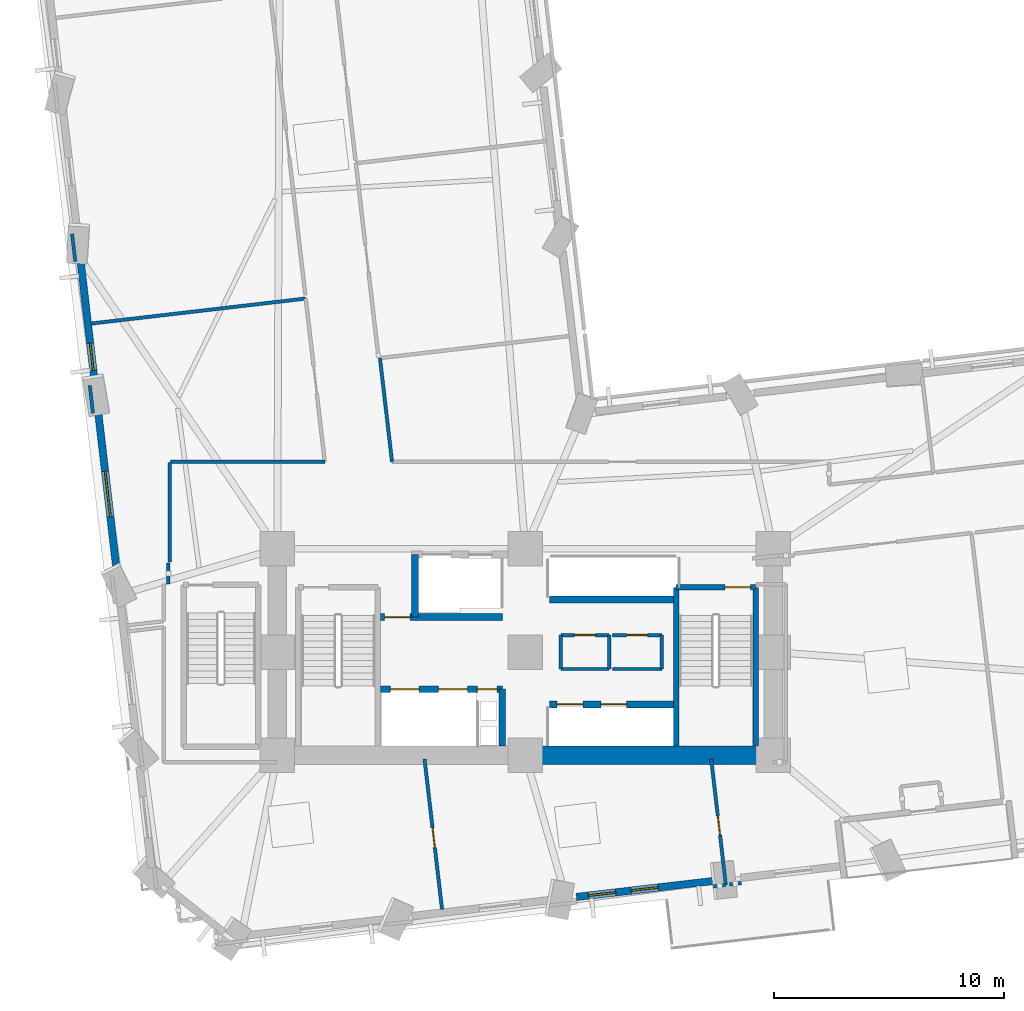
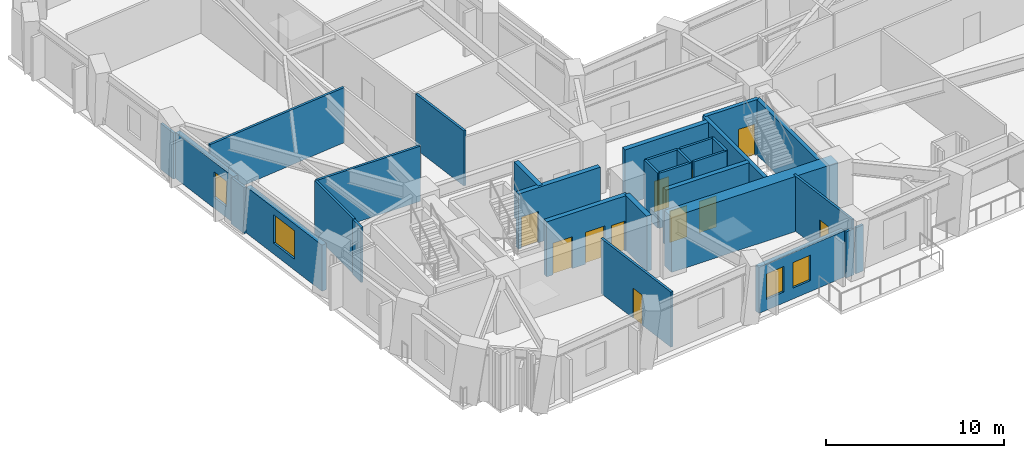
# One storey, part 7 of 14: 31 walls, 11 doors, 4 windows, 15 openings.
"""IFC4 building model written with IfcOpenShell, lengths in metres."""

from ifc_helpers import new_model, si_unit, direction, frame, frame_2d, origin, place, context, subcontext, project, spatial, rectangle, extrude, material, layer, layer_set, type_object, element, fill, save


model = new_model("IFC4")

# Units and contexts
model_context = context("Model", 3, precision=1e-05, world=origin(), true_north=direction((0.0, 1.0)))
body_context = subcontext(model_context, "Body", "Model", "MODEL_VIEW")
ifc_project = project(units=[si_unit("LENGTHUNIT", "METRE"), si_unit("AREAUNIT", "SQUARE_METRE"), si_unit("VOLUMEUNIT", "CUBIC_METRE"), si_unit("PLANEANGLEUNIT", "RADIAN"), si_unit("MASSUNIT", "GRAM", prefix="KILO")], contexts=[model_context])

# Site, building, storey
site_placement = place(None, origin())
site = spatial("IfcSite", under=ifc_project, at=site_placement, CompositionType="ELEMENT")
building_placement = place(site_placement, origin())
building = spatial("IfcBuilding", under=site, at=building_placement, Name="Gaonmaruhae Medical Tower", CompositionType="ELEMENT")
storey_placement = place(building_placement, frame((0.0, 0.0, 51.0)))
storey = spatial("IfcBuildingStorey", under=building, at=storey_placement, Name="L11", CompositionType="ELEMENT", Elevation=51.0)

# Wall
ifc_material_1 = material(Name="Concrete C60/75", Category="concrete")
ifc_layer_1 = layer(ifc_material_1, 0.800048828125)
ifc_layer_set_1 = layer_set([ifc_layer_1], Name="Concrete C60/75")
wall_type_1 = type_object("IfcWallType", Name="CW-800 Lower Core Shear Wall", PredefinedType="SHEAR", material=ifc_layer_set_1)
wall_1_placement = place(storey_placement, frame((24.800048828125, 7.800048828125, 0.0), z_axis=(0.0, 0.0, 1.0), x_axis=(1.0, 0.0, 0.0)))
element("IfcWall", 1, at=wall_1_placement, inside=storey, type_object=wall_type_1, Name="L11 Core Shear Wall CSW-S2", PredefinedType="SHEAR", context=body_context, shape_type="SweptSolid", body=[
    extrude(rectangle(XDim=10.800048828125, YDim=0.800048828125, at=frame_2d((5.39990234375, 0.0))), origin(), (0.0, 0.0, 1.0), 3.780029296875),
])

# Wall, openings, windows
ifc_material_2 = material(Name="Precast concrete C45/55", Category="concrete")
ifc_layer_2 = layer(ifc_material_2, 0.320068359375)
ifc_layer_set_2 = layer_set([ifc_layer_2], Name="Precast concrete C45/55")
wall_type_2 = type_object("IfcWallType", Name="EW-320 Lower Precast Masonry-Frame Facade Wall", PredefinedType="SOLIDWALL", material=ifc_layer_set_2)
wall_2_placement = place(storey_placement, frame((32.9755859375, 2.326416015625, 0.0), z_axis=(0.0, 0.0, 1.0), x_axis=(-0.99327275312, -0.115798263844, 0.0)))
wall_2 = element("IfcWall", 2, at=wall_2_placement, inside=storey, type_object=wall_type_2, Name="L11 Precast Masonry-Frame Wall S03-S04", PredefinedType="SOLIDWALL", context=body_context, shape_type="SweptSolid", body=[
    extrude(rectangle(XDim=5.98974609375, YDim=0.320068359375, at=frame_2d((2.994873046875, 0.0))), origin(), (0.0, 0.0, 1.0), 3.1650390625),
])
opening_1_placement = place(wall_2_placement, frame((2.393798828125, 0.0, 0.75)))
opening_1 = element("IfcOpeningElement", 3, at=opening_1_placement, cuts=wall_2, Name="Opening WN-05", PredefinedType="OPENING", context=body_context, shape_type="SweptSolid", body=[
    extrude(rectangle(XDim=1.199951171875, YDim=1.75, at=frame_2d((0.60009765625, 0.875))), frame((0.0, 0.169921875, 0.0), z_axis=(0.0, -1.0, 0.0), x_axis=(1.0, 0.0, 0.0)), (0.0, 0.0, 1.0), 0.340087890625),
])
opening_2_placement = place(wall_2_placement, frame((4.255615234375, 0.0, 0.75)))
opening_2 = element("IfcOpeningElement", 4, at=opening_2_placement, cuts=wall_2, Name="Opening WN-05", PredefinedType="OPENING", context=body_context, shape_type="SweptSolid", body=[
    extrude(rectangle(XDim=1.199951171875, YDim=1.75, at=frame_2d((0.60009765625, 0.875))), frame((0.0, 0.169921875, 0.0), z_axis=(0.0, -1.0, 0.0), x_axis=(1.0, 0.0, 0.0)), (0.0, 0.0, 1.0), 0.340087890625),
])
ifc_material_3 = material(Name="Anodised aluminium and Low-E double glazing", Category="aluminium")
window_type_1 = type_object("IfcWindowType", Name="WN-05 Support & Staff Punched Window 1200x1750", PartitioningType="SINGLE_PANEL", PredefinedType="WINDOW", material=ifc_material_3)
window_1_placement = place(opening_1_placement, origin())
window_1 = element("IfcWindow", 5, at=window_1_placement, inside=storey, type_object=window_type_1, Name="L11 Modular Facade Window S03", OverallHeight=1.75, OverallWidth=1.199951171875, PartitioningType="SINGLE_PANEL", PredefinedType="WINDOW", context=body_context, shape_type="SweptSolid", body=[
    extrude(rectangle(XDim=1.199951171875, YDim=1.75, at=frame_2d((0.60009765625, 0.875))), frame((0.0, 0.030029296875, 0.0), z_axis=(0.0, -1.0, 0.0), x_axis=(1.0, 0.0, 0.0)), (0.0, 0.0, 1.0), 0.06005859375),
])
fill(opening_1, window_1)
window_2_placement = place(opening_2_placement, origin())
window_2 = element("IfcWindow", 6, at=window_2_placement, inside=storey, type_object=window_type_1, Name="L11 Modular Facade Window S03B", OverallHeight=1.75, OverallWidth=1.199951171875, PartitioningType="SINGLE_PANEL", PredefinedType="WINDOW", context=body_context, shape_type="SweptSolid", body=[
    extrude(rectangle(XDim=1.199951171875, YDim=1.75, at=frame_2d((0.60009765625, 0.875))), frame((0.0, 0.030029296875, 0.0), z_axis=(0.0, -1.0, 0.0), x_axis=(1.0, 0.0, 0.0)), (0.0, 0.0, 1.0), 0.06005859375),
])
fill(opening_2, window_2)

# Wall, opening, window
wall_3_placement = place(storey_placement, frame((6.06494140625, 23.935546875, 0.0), z_axis=(0.0, 0.0, 1.0), x_axis=(-0.115830501052, 0.993268994294, 0.0)))
wall_3 = element("IfcWall", 7, at=wall_3_placement, inside=storey, type_object=wall_type_2, Name="L11 Precast Masonry-Frame Wall W03-W04", PredefinedType="SOLIDWALL", context=body_context, shape_type="SweptSolid", body=[
    extrude(rectangle(XDim=5.43798828125, YDim=0.320068359375, at=frame_2d((2.718994140625, 0.0))), origin(), (0.0, 0.0, 1.0), 3.1650390625),
])
opening_3_placement = place(wall_3_placement, frame((0.630126953125, 0.0, 0.75)))
opening_3 = element("IfcOpeningElement", 8, at=opening_3_placement, cuts=wall_3, Name="Opening WN-05", PredefinedType="OPENING", context=body_context, shape_type="SweptSolid", body=[
    extrude(rectangle(XDim=1.199951171875, YDim=1.75, at=frame_2d((0.60009765625, 0.875))), frame((0.0, 0.169921875, 0.0), z_axis=(0.0, -1.0, 0.0), x_axis=(1.0, 0.0, 0.0)), (0.0, 0.0, 1.0), 0.340087890625),
])
window_3_placement = place(opening_3_placement, origin())
window_3 = element("IfcWindow", 9, at=window_3_placement, inside=storey, type_object=window_type_1, Name="L11 Modular Facade Window W03", OverallHeight=1.75, OverallWidth=1.199951171875, PartitioningType="SINGLE_PANEL", PredefinedType="WINDOW", context=body_context, shape_type="SweptSolid", body=[
    extrude(rectangle(XDim=1.199951171875, YDim=1.75, at=frame_2d((0.60009765625, 0.875))), frame((0.0, 0.030029296875, 0.0), z_axis=(0.0, -1.0, 0.0), x_axis=(1.0, 0.0, 0.0)), (0.0, 0.0, 1.0), 0.06005859375),
])
fill(opening_3, window_3)

wall_4_placement = place(storey_placement, frame((7.031982421875, 15.639892578125, 0.0), z_axis=(0.0, 0.0, 1.0), x_axis=(-0.115803071299, 0.993272192643, 0.0)))
wall_4 = element("IfcWall", 10, at=wall_4_placement, inside=storey, type_object=wall_type_2, Name="L11 Precast Masonry-Frame Wall W04-W05", PredefinedType="SOLIDWALL", context=body_context, shape_type="SweptSolid", body=[
    extrude(rectangle(XDim=7.136474609375, YDim=0.320068359375, at=frame_2d((3.568359375, 0.0))), origin(), (0.0, 0.0, 1.0), 3.1650390625),
])
opening_4_placement = place(wall_4_placement, frame((2.568603515625, 0.0, 0.75)))
opening_4 = element("IfcOpeningElement", 11, at=opening_4_placement, cuts=wall_4, Name="Opening WN-02", PredefinedType="OPENING", context=body_context, shape_type="SweptSolid", body=[
    extrude(rectangle(XDim=2.0, YDim=1.949951171875, at=frame_2d((1.0, 0.97509765625))), frame((0.0, 0.169921875, 0.0), z_axis=(0.0, -1.0, 0.0), x_axis=(1.0, 0.0, 0.0)), (0.0, 0.0, 1.0), 0.340087890625),
])
window_type_2 = type_object("IfcWindowType", Name="WN-02 Double-Bed Ward Punched Window 2000x1950", PartitioningType="SINGLE_PANEL", PredefinedType="WINDOW", material=ifc_material_3)
window_4_placement = place(opening_4_placement, origin())
window_4 = element("IfcWindow", 12, at=window_4_placement, inside=storey, type_object=window_type_2, Name="L11 Modular Facade Window W04", OverallHeight=1.949951171875, OverallWidth=2.0, PartitioningType="SINGLE_PANEL", PredefinedType="WINDOW", context=body_context, shape_type="SweptSolid", body=[
    extrude(rectangle(XDim=2.0, YDim=1.949951171875, at=frame_2d((1.0, 0.97509765625))), frame((0.0, 0.030029296875, 0.0), z_axis=(0.0, -1.0, 0.0), x_axis=(1.0, 0.0, 0.0)), (0.0, 0.0, 1.0), 0.06005859375),
])
fill(opening_4, window_4)

# Wall
ifc_material_4 = material(Name="Gypsum board partition", Category="gypsum")
ifc_layer_3 = layer(ifc_material_4, 0.14990234375)
ifc_layer_set_3 = layer_set([ifc_layer_3], Name="Gypsum board partition")
wall_type_3 = type_object("IfcWallType", Name="PW-150 Rated Clinical Corridor Partition", PredefinedType="PARTITIONING", material=ifc_layer_set_3)
wall_5_placement = place(storey_placement, frame((26.35009765625, 11.56005859375, 0.0), z_axis=(0.0, 0.0, 1.0), x_axis=(0.0, 1.0, 0.0)))
element("IfcWall", 13, at=wall_5_placement, inside=storey, type_object=wall_type_3, Name="L11 Interior Partition L11-CS1-1", PredefinedType="PARTITIONING", context=body_context, shape_type="SweptSolid", body=[
    extrude(rectangle(XDim=1.47998046875, YDim=0.14990234375, at=frame_2d((0.739990234375, 0.0))), origin(), (0.0, 0.0, 1.0), 3.780029296875),
])

# Wall, opening, door
wall_6_placement = place(storey_placement, frame((26.35009765625, 13.0400390625, 0.0), z_axis=(0.0, 0.0, 1.0), x_axis=(1.0, 0.0, 0.0)))
wall_6 = element("IfcWall", 14, at=wall_6_placement, inside=storey, type_object=wall_type_3, Name="L11 Interior Partition L11-CS1-2", PredefinedType="PARTITIONING", context=body_context, shape_type="SweptSolid", body=[
    extrude(rectangle(XDim=2.099853515625, YDim=0.14990234375, at=frame_2d((1.0498046875, 0.0))), origin(), (0.0, 0.0, 1.0), 3.780029296875),
])
opening_5_placement = place(wall_6_placement, frame((0.590087890625, 0.0, 0.0)))
opening_5 = element("IfcOpeningElement", 15, at=opening_5_placement, cuts=wall_6, Name="Opening UD-01", PredefinedType="OPENING", context=body_context, shape_type="SweptSolid", body=[
    extrude(rectangle(XDim=0.919921875, YDim=2.10009765625, at=frame_2d((0.4599609375, 1.050048828125))), frame((0.0, 0.0849609375, 0.0), z_axis=(0.0, -1.0, 0.0), x_axis=(1.0, 0.0, 0.0)), (0.0, 0.0, 1.0), 0.169921875),
])
ifc_material_5 = material(Name="Powder-coated steel utility door", Category="steel")
door_type_1 = type_object("IfcDoorType", Name="UD-01 Toilet, Utility & Housekeeping Door 920x2100", OperationType="NOTDEFINED", PredefinedType="DOOR", material=ifc_material_5)
door_1_placement = place(opening_5_placement, origin())
door_1 = element("IfcDoor", 16, at=door_1_placement, inside=storey, type_object=door_type_1, Name="L11 Accessible Staff Toilet Door", OperationType="SINGLE_SWING_RIGHT", OverallHeight=2.10009765625, OverallWidth=0.919921875, PredefinedType="DOOR", context=body_context, shape_type="SweptSolid", body=[
    extrude(rectangle(XDim=0.919921875, YDim=2.10009765625, at=frame_2d((0.4599609375, 1.050048828125))), frame((0.0, 0.02490234375, 0.0), z_axis=(0.0, -1.0, 0.0), x_axis=(1.0, 0.0, 0.0)), (0.0, 0.0, 1.0), 0.050048828125),
])
fill(opening_5, door_1)

# Walls
wall_7_placement = place(storey_placement, frame((28.449951171875, 13.0400390625, 0.0), z_axis=(0.0, 0.0, 1.0), x_axis=(0.0, -1.0, 0.0)))
element("IfcWall", 17, at=wall_7_placement, inside=storey, type_object=wall_type_3, Name="L11 Interior Partition L11-CS1-3", PredefinedType="PARTITIONING", context=body_context, shape_type="SweptSolid", body=[
    extrude(rectangle(XDim=1.47998046875, YDim=0.14990234375, at=frame_2d((0.739990234375, 0.0))), origin(), (0.0, 0.0, 1.0), 3.780029296875),
])
wall_8_placement = place(storey_placement, frame((28.449951171875, 11.56005859375, 0.0), z_axis=(0.0, 0.0, 1.0), x_axis=(-1.0, 0.0, 0.0)))
element("IfcWall", 18, at=wall_8_placement, inside=storey, type_object=wall_type_3, Name="L11 Interior Partition L11-CS1-4", PredefinedType="PARTITIONING", context=body_context, shape_type="SweptSolid", body=[
    extrude(rectangle(XDim=2.099853515625, YDim=0.14990234375, at=frame_2d((1.0498046875, 0.0))), origin(), (0.0, 0.0, 1.0), 3.780029296875),
])

# Wall, opening, door
wall_9_placement = place(storey_placement, frame((28.60009765625, 13.0400390625, 0.0), z_axis=(0.0, 0.0, 1.0), x_axis=(1.0, 0.0, 0.0)))
wall_9 = element("IfcWall", 19, at=wall_9_placement, inside=storey, type_object=wall_type_3, Name="L11 Interior Partition L11-CS2-5", PredefinedType="PARTITIONING", context=body_context, shape_type="SweptSolid", body=[
    extrude(rectangle(XDim=2.14990234375, YDim=0.14990234375, at=frame_2d((1.074951171875, 0.0))), origin(), (0.0, 0.0, 1.0), 3.780029296875),
])
opening_6_placement = place(wall_9_placement, frame((0.614990234375, 0.0, 0.0)))
opening_6 = element("IfcOpeningElement", 20, at=opening_6_placement, cuts=wall_9, Name="Opening UD-01", PredefinedType="OPENING", context=body_context, shape_type="SweptSolid", body=[
    extrude(rectangle(XDim=0.919921875, YDim=2.10009765625, at=frame_2d((0.4599609375, 1.050048828125))), frame((0.0, 0.0849609375, 0.0), z_axis=(0.0, -1.0, 0.0), x_axis=(1.0, 0.0, 0.0)), (0.0, 0.0, 1.0), 0.169921875),
])
door_2_placement = place(opening_6_placement, origin())
door_2 = element("IfcDoor", 21, at=door_2_placement, inside=storey, type_object=door_type_1, Name="L11 Biomedical Telemetry Closet Door", OperationType="SINGLE_SWING_LEFT", OverallHeight=2.10009765625, OverallWidth=0.919921875, PredefinedType="DOOR", context=body_context, shape_type="SweptSolid", body=[
    extrude(rectangle(XDim=0.919921875, YDim=2.10009765625, at=frame_2d((0.4599609375, 1.050048828125))), frame((0.0, 0.02490234375, 0.0), z_axis=(0.0, -1.0, 0.0), x_axis=(1.0, 0.0, 0.0)), (0.0, 0.0, 1.0), 0.050048828125),
])
fill(opening_6, door_2)

# Walls
wall_10_placement = place(storey_placement, frame((30.75, 13.0400390625, 0.0), z_axis=(0.0, 0.0, 1.0), x_axis=(0.0, -1.0, 0.0)))
element("IfcWall", 22, at=wall_10_placement, inside=storey, type_object=wall_type_3, Name="L11 Interior Partition L11-CS2-6", PredefinedType="PARTITIONING", context=body_context, shape_type="SweptSolid", body=[
    extrude(rectangle(XDim=1.47998046875, YDim=0.14990234375, at=frame_2d((0.739990234375, 0.0))), origin(), (0.0, 0.0, 1.0), 3.780029296875),
])
wall_11_placement = place(storey_placement, frame((30.75, 11.56005859375, 0.0), z_axis=(0.0, 0.0, 1.0), x_axis=(-1.0, 0.0, 0.0)))
element("IfcWall", 23, at=wall_11_placement, inside=storey, type_object=wall_type_3, Name="L11 Interior Partition L11-CS2-7", PredefinedType="PARTITIONING", context=body_context, shape_type="SweptSolid", body=[
    extrude(rectangle(XDim=2.14990234375, YDim=0.14990234375, at=frame_2d((1.074951171875, 0.0))), origin(), (0.0, 0.0, 1.0), 3.780029296875),
])

# Wall, opening, door
wall_12_placement = place(storey_placement, frame((20.4140625, 7.64111328125, 0.0), z_axis=(0.0, 0.0, 1.0), x_axis=(0.115769975506, -0.993276050638, 0.0)))
wall_12 = element("IfcWall", 24, at=wall_12_placement, inside=storey, type_object=wall_type_3, Name="L11 Interior Partition L11-SUP01-11", PredefinedType="PARTITIONING", context=body_context, shape_type="SweptSolid", body=[
    extrude(rectangle(XDim=6.5986328125, YDim=0.14990234375, at=frame_2d((3.29931640625, 0.0))), origin(), (0.0, 0.0, 1.0), 3.780029296875),
])
opening_7_placement = place(wall_12_placement, frame((3.020263671875, 0.0, 0.0)))
opening_7 = element("IfcOpeningElement", 25, at=opening_7_placement, cuts=wall_12, Name="Opening AD-01", PredefinedType="OPENING", context=body_context, shape_type="SweptSolid", body=[
    extrude(rectangle(XDim=0.860107421875, YDim=2.06005859375, at=frame_2d((0.43017578125, 1.030029296875))), frame((0.0, 0.0849609375, 0.0), z_axis=(0.0, -1.0, 0.0), x_axis=(1.0, 0.0, 0.0)), (0.0, 0.0, 1.0), 0.169921875),
])
ifc_material_6 = material(Name="Powder-coated steel access door", Category="steel")
door_type_2 = type_object("IfcDoorType", Name="AD-01 Riser & Closet Access Fire Door 860x2060", OperationType="NOTDEFINED", PredefinedType="DOOR", material=ifc_material_6)
door_3_placement = place(opening_7_placement, origin())
door_3 = element("IfcDoor", 26, at=door_3_placement, inside=storey, type_object=door_type_2, Name="L11 Clinical Biomedical Charting Office Sliding Door", OperationType="SLIDING_TO_LEFT", OverallHeight=2.06005859375, OverallWidth=0.860107421875, PredefinedType="DOOR", context=body_context, shape_type="SweptSolid", body=[
    extrude(rectangle(XDim=0.860107421875, YDim=2.06005859375, at=frame_2d((0.43017578125, 1.030029296875))), frame((0.0, 0.02490234375, 0.0), z_axis=(0.0, -1.0, 0.0), x_axis=(1.0, 0.0, 0.0)), (0.0, 0.0, 1.0), 0.050048828125),
])
fill(opening_7, door_3)

# Wall
wall_13_placement = place(storey_placement, frame((33.535888671875, 2.159912109375, 0.0), z_axis=(0.0, 0.0, 1.0), x_axis=(-0.993323124869, -0.115365374356, 0.0)))
element("IfcWall", 27, at=wall_13_placement, inside=storey, type_object=wall_type_3, Name="L11 Interior Partition L11-SUP02-19", PredefinedType="PARTITIONING", context=body_context, shape_type="SweptSolid", body=[
    extrude(rectangle(XDim=0.53759765625, YDim=0.14990234375, at=frame_2d((0.268798828125, 0.0))), origin(), (0.0, 0.0, 1.0), 3.1650390625),
])

# Wall, opening, door
wall_14_placement = place(storey_placement, frame((32.89794921875, 7.64111328125, 0.0), z_axis=(0.0, 0.0, 1.0), x_axis=(0.115606435858, -0.99329509814, 0.0)))
wall_14 = element("IfcWall", 28, at=wall_14_placement, inside=storey, type_object=wall_type_3, Name="L11 Interior Partition L11-SUP02-21", PredefinedType="PARTITIONING", context=body_context, shape_type="SweptSolid", body=[
    extrude(rectangle(XDim=5.518310546875, YDim=0.14990234375, at=frame_2d((2.75927734375, 0.0))), origin(), (0.0, 0.0, 1.0), 3.780029296875),
])
opening_8_placement = place(wall_14_placement, frame((2.47998046875, 0.0, 0.0)))
opening_8 = element("IfcOpeningElement", 29, at=opening_8_placement, cuts=wall_14, Name="Opening AD-01", PredefinedType="OPENING", context=body_context, shape_type="SweptSolid", body=[
    extrude(rectangle(XDim=0.860107421875, YDim=2.06005859375, at=frame_2d((0.43017578125, 1.030029296875))), frame((0.0, 0.0849609375, 0.0), z_axis=(0.0, -1.0, 0.0), x_axis=(1.0, 0.0, 0.0)), (0.0, 0.0, 1.0), 0.169921875),
])
door_4_placement = place(opening_8_placement, origin())
door_4 = element("IfcDoor", 30, at=door_4_placement, inside=storey, type_object=door_type_2, Name="L11 Clinical Biomedical Charting Office Sliding Door", OperationType="SLIDING_TO_LEFT", OverallHeight=2.06005859375, OverallWidth=0.860107421875, PredefinedType="DOOR", context=body_context, shape_type="SweptSolid", body=[
    extrude(rectangle(XDim=0.860107421875, YDim=2.06005859375, at=frame_2d((0.43017578125, 1.030029296875))), frame((0.0, 0.02490234375, 0.0), z_axis=(0.0, -1.0, 0.0), x_axis=(1.0, 0.0, 0.0)), (0.0, 0.0, 1.0), 0.050048828125),
])
fill(opening_8, door_4)

# Walls
wall_15_placement = place(storey_placement, frame((34.208984375, 2.239013671875, 0.0), z_axis=(0.0, 0.0, 1.0), x_axis=(-0.993240491089, -0.116074660716, 0.0)))
element("IfcWall", 31, at=wall_15_placement, inside=storey, type_object=wall_type_3, Name="L11 Interior Partition L11-SUP03-32", PredefinedType="PARTITIONING", context=body_context, shape_type="SweptSolid", body=[
    extrude(rectangle(XDim=0.517333984375, YDim=0.14990234375, at=frame_2d((0.2587890625, 0.0))), origin(), (0.0, 0.0, 1.0), 3.1650390625),
])
wall_16_placement = place(storey_placement, frame((9.320068359375, 20.550048828125, 0.0), z_axis=(0.0, 0.0, 1.0), x_axis=(0.0, -1.0, 0.0)))
element("IfcWall", 32, at=wall_16_placement, inside=storey, type_object=wall_type_3, Name="L11 Interior Partition L11-WOF06-47", PredefinedType="PARTITIONING", context=body_context, shape_type="SweptSolid", body=[
    extrude(rectangle(XDim=4.340087890625, YDim=0.14990234375, at=frame_2d((2.169921875, 0.0))), origin(), (0.0, 0.0, 1.0), 3.780029296875),
])
wall_17_placement = place(storey_placement, frame((9.260009765625, 16.179931640625, 0.0), z_axis=(0.0, 0.0, 1.0), x_axis=(0.0, -1.0, 0.0)))
element("IfcWall", 33, at=wall_17_placement, inside=storey, type_object=wall_type_3, Name="L11 Interior Partition L11-WOF06-48", PredefinedType="PARTITIONING", context=body_context, shape_type="SweptSolid", body=[
    extrude(rectangle(XDim=0.919921875, YDim=0.14990234375, at=frame_2d((0.4599609375, 0.0))), origin(), (0.0, 0.0, 1.0), 3.780029296875),
])
wall_18_placement = place(storey_placement, frame((5.97705078125, 22.701904296875, 0.0), z_axis=(0.0, 0.0, 1.0), x_axis=(-0.116118535525, 0.993235362695, 0.0)))
element("IfcWall", 34, at=wall_18_placement, inside=storey, type_object=wall_type_3, Name="L11 Interior Partition L11-WOF06-52", PredefinedType="PARTITIONING", context=body_context, shape_type="SweptSolid", body=[
    extrude(rectangle(XDim=1.21533203125, YDim=0.14990234375, at=frame_2d((0.607666015625, 0.0))), origin(), (0.0, 0.0, 1.0), 3.1650390625),
])
wall_19_placement = place(storey_placement, frame((5.889892578125, 26.60302734375, 0.0), z_axis=(0.0, 0.0, 1.0), x_axis=(0.993273780871, 0.115789447851, 0.0)))
element("IfcWall", 35, at=wall_19_placement, inside=storey, type_object=wall_type_3, Name="L11 Interior Partition L11-WOF06-53", PredefinedType="PARTITIONING", context=body_context, shape_type="SweptSolid", body=[
    extrude(rectangle(XDim=9.414306640625, YDim=0.14990234375, at=frame_2d((4.70703125, 0.0))), origin(), (0.0, 0.0, 1.0), 3.780029296875),
])
wall_20_placement = place(storey_placement, frame((16.071044921875, 20.580078125, 0.0), z_axis=(0.0, 0.0, 1.0), x_axis=(-1.0, 0.0, 0.0)))
element("IfcWall", 36, at=wall_20_placement, inside=storey, type_object=wall_type_3, Name="L11 Interior Partition L11-WOF06-55", PredefinedType="PARTITIONING", context=body_context, shape_type="SweptSolid", body=[
    extrude(rectangle(XDim=6.72412109375, YDim=0.14990234375, at=frame_2d((3.362060546875, 0.0))), origin(), (0.0, 0.0, 1.0), 3.780029296875),
])
wall_21_placement = place(storey_placement, frame((5.20703125, 29.31005859375, 0.0), z_axis=(0.0, 0.0, 1.0), x_axis=(-0.11599699892, 0.993249563927, 0.0)))
element("IfcWall", 37, at=wall_21_placement, inside=storey, type_object=wall_type_3, Name="L11 Interior Partition L11-WOF07-58", PredefinedType="PARTITIONING", context=body_context, shape_type="SweptSolid", body=[
    extrude(rectangle(XDim=1.2080078125, YDim=0.14990234375, at=frame_2d((0.60400390625, 0.0))), origin(), (0.0, 0.0, 1.0), 3.1650390625),
])
wall_22_placement = place(storey_placement, frame((19.0, 20.580078125, 0.0), z_axis=(0.0, 0.0, 1.0), x_axis=(-0.115829534516, 0.993269107007, 0.0)))
element("IfcWall", 38, at=wall_22_placement, inside=storey, type_object=wall_type_3, Name="L11 Interior Partition L11-IE01-71", PredefinedType="PARTITIONING", context=body_context, shape_type="SweptSolid", body=[
    extrude(rectangle(XDim=4.550537109375, YDim=0.14990234375, at=frame_2d((2.275390625, 0.0))), origin(), (0.0, 0.0, 1.0), 3.780029296875),
])

# Wall, opening, door
ifc_material_7 = material(Name="Concrete C50/60", Category="concrete")
ifc_layer_4 = layer(ifc_material_7, 0.239990234375)
ifc_layer_set_4 = layer_set([ifc_layer_4], Name="Concrete C50/60")
wall_type_4 = type_object("IfcWallType", Name="SW-240 Dogleg Stair Tight Shaft Wall", PredefinedType="SOLIDWALL", material=ifc_layer_set_4)
wall_23_placement = place(storey_placement, frame((31.3701171875, 15.1201171875, 0.0), z_axis=(0.0, 0.0, 1.0), x_axis=(1.0, 0.0, 0.0)))
wall_23 = element("IfcWall", 39, at=wall_23_placement, inside=storey, type_object=wall_type_4, Name="L11 ST-02 Stair Shaft Wall SHW-ST-02-N", PredefinedType="SOLIDWALL", context=body_context, shape_type="SweptSolid", body=[
    extrude(rectangle(XDim=3.4599609375, YDim=0.239990234375, at=frame_2d((1.72998046875, 0.0))), origin(), (0.0, 0.0, 1.0), 3.780029296875),
])
opening_9_placement = place(wall_23_placement, frame((2.139892578125, 0.0, 0.0)))
opening_9 = element("IfcOpeningElement", 40, at=opening_9_placement, cuts=wall_23, Name="Opening FD-01", PredefinedType="OPENING", context=body_context, shape_type="SweptSolid", body=[
    extrude(rectangle(XDim=1.10009765625, YDim=2.14990234375, at=frame_2d((0.550048828125, 1.074951171875))), frame((0.0, 0.1298828125, 0.0), z_axis=(0.0, -1.0, 0.0), x_axis=(1.0, 0.0, 0.0)), (0.0, 0.0, 1.0), 0.260009765625),
])
ifc_material_8 = material(Name="Powder-coated steel fire door", Category="steel")
door_type_3 = type_object("IfcDoorType", Name="FD-01 Escape Stair Protected Fire Door 1100x2150", OperationType="NOTDEFINED", PredefinedType="DOOR", material=ifc_material_8)
door_5_placement = place(opening_9_placement, origin())
door_5 = element("IfcDoor", 41, at=door_5_placement, inside=storey, type_object=door_type_3, Name="L11 ST-02 Protected Escape Stair Door", OperationType="SINGLE_SWING_RIGHT", OverallHeight=2.14990234375, OverallWidth=1.10009765625, PredefinedType="DOOR", context=body_context, shape_type="SweptSolid", body=[
    extrude(rectangle(XDim=1.10009765625, YDim=2.14990234375, at=frame_2d((0.550048828125, 1.074951171875))), frame((0.0, 0.02490234375, 0.0), z_axis=(0.0, -1.0, 0.0), x_axis=(1.0, 0.0, 0.0)), (0.0, 0.0, 1.0), 0.050048828125),
])
fill(opening_9, door_5)

# Walls
for number, where, z_axis, x_axis, name in (
    (42, (34.830078125, 15.1201171875, 0.0), (0.0, 0.0, 1.0), (0.0, -1.0, 0.0), "L11 ST-02 Stair Shaft Wall SHW-ST-02-E"),
    (43, (31.3701171875, 8.199951171875, 0.0), (0.0, 0.0, 1.0), (0.0, 1.0, 0.0), "L11 ST-02 Stair Shaft Wall SHW-ST-02-W"),
):
    element("IfcWall", number, at=place(storey_placement, frame(where, z_axis=z_axis, x_axis=x_axis)), inside=storey, type_object=wall_type_4, Name=name, PredefinedType="SOLIDWALL", context=body_context, shape_type="SweptSolid", body=[
        extrude(rectangle(XDim=6.920166015625, YDim=0.239990234375, at=frame_2d((3.4599609375, 0.0))), origin(), (0.0, 0.0, 1.0), 3.780029296875),
    ])

# Wall, openings, doors
ifc_layer_5 = layer(ifc_material_7, 0.300048828125)
ifc_layer_set_5 = layer_set([ifc_layer_5], Name="Concrete C50/60")
wall_type_5 = type_object("IfcWallType", Name="SW-300 Stair & Lift Hoistway Shaft Wall", PredefinedType="SOLIDWALL", material=ifc_layer_set_5)
wall_24_placement = place(storey_placement, frame((18.5, 10.679931640625, 0.0), z_axis=(0.0, 0.0, 1.0), x_axis=(1.0, 0.0, 0.0)))
wall_24 = element("IfcWall", 44, at=wall_24_placement, inside=storey, type_object=wall_type_5, Name="L11 Shaft Enclosure Wall SHW-FFN", PredefinedType="SOLIDWALL", context=body_context, shape_type="SweptSolid", body=[
    extrude(rectangle(XDim=5.300048828125, YDim=0.300048828125, at=frame_2d((2.64990234375, 0.0))), origin(), (0.0, 0.0, 1.0), 3.780029296875),
])
opening_10_placement = place(wall_24_placement, frame((4.219970703125, 0.0, 0.0)))
opening_10 = element("IfcOpeningElement", 45, at=opening_10_placement, cuts=wall_24, Name="Opening AD-01", PredefinedType="OPENING", context=body_context, shape_type="SweptSolid", body=[
    extrude(rectangle(XDim=0.860107421875, YDim=2.06005859375, at=frame_2d((0.43017578125, 1.030029296875))), frame((0.0, 0.16015625, 0.0), z_axis=(0.0, -1.0, 0.0), x_axis=(1.0, 0.0, 0.0)), (0.0, 0.0, 1.0), 0.320068359375),
])
opening_11_placement = place(wall_24_placement, frame((0.425048828125, 0.0, 0.0)))
opening_11 = element("IfcOpeningElement", 46, at=opening_11_placement, cuts=wall_24, Name="Opening LD-F1", PredefinedType="OPENING", context=body_context, shape_type="SweptSolid", body=[
    extrude(rectangle(XDim=1.25, YDim=2.179931640625, at=frame_2d((0.625, 1.08984375))), frame((0.0, 0.16015625, 0.0), z_axis=(0.0, -1.0, 0.0), x_axis=(1.0, 0.0, 0.0)), (0.0, 0.0, 1.0), 0.320068359375),
])
opening_12_placement = place(wall_24_placement, frame((2.52490234375, 0.0, 0.0)))
opening_12 = element("IfcOpeningElement", 47, at=opening_12_placement, cuts=wall_24, Name="Opening LD-F1", PredefinedType="OPENING", context=body_context, shape_type="SweptSolid", body=[
    extrude(rectangle(XDim=1.25, YDim=2.179931640625, at=frame_2d((0.625, 1.08984375))), frame((0.0, 0.16015625, 0.0), z_axis=(0.0, -1.0, 0.0), x_axis=(1.0, 0.0, 0.0)), (0.0, 0.0, 1.0), 0.320068359375),
])
door_6_placement = place(opening_10_placement, origin())
door_6 = element("IfcDoor", 48, at=door_6_placement, inside=storey, type_object=door_type_2, Name="L11 Medical Gas and MEP Riser Access Door", OperationType="SINGLE_SWING_RIGHT", OverallHeight=2.06005859375, OverallWidth=0.860107421875, PredefinedType="DOOR", context=body_context, shape_type="SweptSolid", body=[
    extrude(rectangle(XDim=0.860107421875, YDim=2.06005859375, at=frame_2d((0.43017578125, 1.030029296875))), frame((0.0, 0.02490234375, 0.0), z_axis=(0.0, -1.0, 0.0), x_axis=(1.0, 0.0, 0.0)), (0.0, 0.0, 1.0), 0.050048828125),
])
fill(opening_10, door_6)
ifc_material_9 = material(Name="Brushed stainless steel 316L landing door", Category="steel")
door_type_4 = type_object("IfcDoorType", Name="LD-F1 Firefighting & Bed Lift Sliding Landing Door 1250x2180", OperationType="NOTDEFINED", PredefinedType="DOOR", material=ifc_material_9)
door_7_placement = place(opening_11_placement, origin())
door_7 = element("IfcDoor", 49, at=door_7_placement, inside=storey, type_object=door_type_4, Name="L11 Firefighting Lift Landing Door FFL-01", OperationType="DOUBLE_DOOR_SLIDING", OverallHeight=2.179931640625, OverallWidth=1.25, PredefinedType="DOOR", context=body_context, shape_type="SweptSolid", body=[
    extrude(rectangle(XDim=1.25, YDim=2.179931640625, at=frame_2d((0.625, 1.08984375))), frame((0.0, 0.02490234375, 0.0), z_axis=(0.0, -1.0, 0.0), x_axis=(1.0, 0.0, 0.0)), (0.0, 0.0, 1.0), 0.050048828125),
])
fill(opening_11, door_7)
door_8_placement = place(opening_12_placement, origin())
door_8 = element("IfcDoor", 50, at=door_8_placement, inside=storey, type_object=door_type_4, Name="L11 Firefighting Lift Landing Door FFL-02", OperationType="DOUBLE_DOOR_SLIDING", OverallHeight=2.179931640625, OverallWidth=1.25, PredefinedType="DOOR", context=body_context, shape_type="SweptSolid", body=[
    extrude(rectangle(XDim=1.25, YDim=2.179931640625, at=frame_2d((0.625, 1.08984375))), frame((0.0, 0.02490234375, 0.0), z_axis=(0.0, -1.0, 0.0), x_axis=(1.0, 0.0, 0.0)), (0.0, 0.0, 1.0), 0.050048828125),
])
fill(opening_12, door_8)

# Wall, opening, door
wall_25_placement = place(storey_placement, frame((18.5, 13.820068359375, 0.0), z_axis=(0.0, 0.0, 1.0), x_axis=(1.0, 0.0, 0.0)))
wall_25 = element("IfcWall", 51, at=wall_25_placement, inside=storey, type_object=wall_type_5, Name="L11 Shaft Enclosure Wall SHW-FFL", PredefinedType="SOLIDWALL", context=body_context, shape_type="SweptSolid", body=[
    extrude(rectangle(XDim=5.300048828125, YDim=0.300048828125, at=frame_2d((2.64990234375, 0.0))), origin(), (0.0, 0.0, 1.0), 3.780029296875),
])
opening_13_placement = place(wall_25_placement, frame((0.179931640625, 0.0, 0.0)))
opening_13 = element("IfcOpeningElement", 52, at=opening_13_placement, cuts=wall_25, Name="Opening FD-01", PredefinedType="OPENING", context=body_context, shape_type="SweptSolid", body=[
    extrude(rectangle(XDim=1.10009765625, YDim=2.14990234375, at=frame_2d((0.550048828125, 1.074951171875))), frame((0.0, 0.16015625, 0.0), z_axis=(0.0, -1.0, 0.0), x_axis=(1.0, 0.0, 0.0)), (0.0, 0.0, 1.0), 0.320068359375),
])
door_9_placement = place(opening_13_placement, origin())
door_9 = element("IfcDoor", 53, at=door_9_placement, inside=storey, type_object=door_type_3, Name="L11 Firefighting Lobby Smoke Door", OperationType="SINGLE_SWING_LEFT", OverallHeight=2.14990234375, OverallWidth=1.10009765625, PredefinedType="DOOR", context=body_context, shape_type="SweptSolid", body=[
    extrude(rectangle(XDim=1.10009765625, YDim=2.14990234375, at=frame_2d((0.550048828125, 1.074951171875))), frame((0.0, 0.02490234375, 0.0), z_axis=(0.0, -1.0, 0.0), x_axis=(1.0, 0.0, 0.0)), (0.0, 0.0, 1.0), 0.050048828125),
])
fill(opening_13, door_9)

# Walls
wall_26_placement = place(storey_placement, frame((23.800048828125, 8.199951171875, 0.0), z_axis=(0.0, 0.0, 1.0), x_axis=(0.0, 1.0, 0.0)))
element("IfcWall", 54, at=wall_26_placement, inside=storey, type_object=wall_type_5, Name="L11 Shaft Enclosure Wall SHW-FFE", PredefinedType="SOLIDWALL", context=body_context, shape_type="SweptSolid", body=[
    extrude(rectangle(XDim=2.47998046875, YDim=0.300048828125, at=frame_2d((1.239990234375, 0.0))), origin(), (0.0, 0.0, 1.0), 3.780029296875),
])
wall_27_placement = place(storey_placement, frame((20.0, 13.820068359375, 0.0), z_axis=(0.0, 0.0, 1.0), x_axis=(0.0, 1.0, 0.0)))
element("IfcWall", 55, at=wall_27_placement, inside=storey, type_object=wall_type_5, Name="L11 Shaft Enclosure Wall SHW-BDW", PredefinedType="SOLIDWALL", context=body_context, shape_type="SweptSolid", body=[
    extrude(rectangle(XDim=2.72998046875, YDim=0.300048828125, at=frame_2d((1.364990234375, 0.0))), origin(), (0.0, 0.0, 1.0), 3.780029296875),
])

# Wall, openings, doors
wall_28_placement = place(storey_placement, frame((25.85009765625, 10.02001953125, 0.0), z_axis=(0.0, 0.0, 1.0), x_axis=(1.0, 0.0, 0.0)))
wall_28 = element("IfcWall", 56, at=wall_28_placement, inside=storey, type_object=wall_type_5, Name="L11 Shaft Enclosure Wall SHW-PLS", PredefinedType="SOLIDWALL", context=body_context, shape_type="SweptSolid", body=[
    extrude(rectangle(XDim=5.449951171875, YDim=0.300048828125, at=frame_2d((2.72509765625, 0.0))), origin(), (0.0, 0.0, 1.0), 3.780029296875),
])
opening_14_placement = place(wall_28_placement, frame((0.340087890625, 0.0, 0.0)))
opening_14 = element("IfcOpeningElement", 57, at=opening_14_placement, cuts=wall_28, Name="Opening LD-P1", PredefinedType="OPENING", context=body_context, shape_type="SweptSolid", body=[
    extrude(rectangle(XDim=1.1201171875, YDim=2.14990234375, at=frame_2d((0.56005859375, 1.074951171875))), frame((0.0, 0.16015625, 0.0), z_axis=(0.0, -1.0, 0.0), x_axis=(1.0, 0.0, 0.0)), (0.0, 0.0, 1.0), 0.320068359375),
])
opening_15_placement = place(wall_28_placement, frame((2.239990234375, 0.0, 0.0)))
opening_15 = element("IfcOpeningElement", 58, at=opening_15_placement, cuts=wall_28, Name="Opening LD-P1", PredefinedType="OPENING", context=body_context, shape_type="SweptSolid", body=[
    extrude(rectangle(XDim=1.1201171875, YDim=2.14990234375, at=frame_2d((0.56005859375, 1.074951171875))), frame((0.0, 0.16015625, 0.0), z_axis=(0.0, -1.0, 0.0), x_axis=(1.0, 0.0, 0.0)), (0.0, 0.0, 1.0), 0.320068359375),
])
ifc_material_10 = material(Name="Brushed stainless steel 304 landing door", Category="steel")
door_type_5 = type_object("IfcDoorType", Name="LD-P1 Passenger Lift Sliding Landing Door 1120x2150", OperationType="NOTDEFINED", PredefinedType="DOOR", material=ifc_material_10)
door_10_placement = place(opening_14_placement, origin())
door_10 = element("IfcDoor", 59, at=door_10_placement, inside=storey, type_object=door_type_5, Name="L11 Passenger Lift Landing Door PL-L1", OperationType="DOUBLE_DOOR_SLIDING", OverallHeight=2.14990234375, OverallWidth=1.1201171875, PredefinedType="DOOR", context=body_context, shape_type="SweptSolid", body=[
    extrude(rectangle(XDim=1.1201171875, YDim=2.14990234375, at=frame_2d((0.56005859375, 1.074951171875))), frame((0.0, 0.02490234375, 0.0), z_axis=(0.0, -1.0, 0.0), x_axis=(1.0, 0.0, 0.0)), (0.0, 0.0, 1.0), 0.050048828125),
])
fill(opening_14, door_10)
door_11_placement = place(opening_15_placement, origin())
door_11 = element("IfcDoor", 60, at=door_11_placement, inside=storey, type_object=door_type_5, Name="L11 Passenger Lift Landing Door PL-L2", OperationType="DOUBLE_DOOR_SLIDING", OverallHeight=2.14990234375, OverallWidth=1.1201171875, PredefinedType="DOOR", context=body_context, shape_type="SweptSolid", body=[
    extrude(rectangle(XDim=1.1201171875, YDim=2.14990234375, at=frame_2d((0.56005859375, 1.074951171875))), frame((0.0, 0.02490234375, 0.0), z_axis=(0.0, -1.0, 0.0), x_axis=(1.0, 0.0, 0.0)), (0.0, 0.0, 1.0), 0.050048828125),
])
fill(opening_15, door_11)

# Wall
wall_29_placement = place(storey_placement, frame((25.85009765625, 14.580078125, 0.0), z_axis=(0.0, 0.0, 1.0), x_axis=(1.0, 0.0, 0.0)))
element("IfcWall", 61, at=wall_29_placement, inside=storey, type_object=wall_type_5, Name="L11 Shaft Enclosure Wall SHW-PLN", PredefinedType="SOLIDWALL", context=body_context, shape_type="SweptSolid", body=[
    extrude(rectangle(XDim=5.449951171875, YDim=0.300048828125, at=frame_2d((2.72509765625, 0.0))), origin(), (0.0, 0.0, 1.0), 3.780029296875),
])

save(model, "model.ifc")
